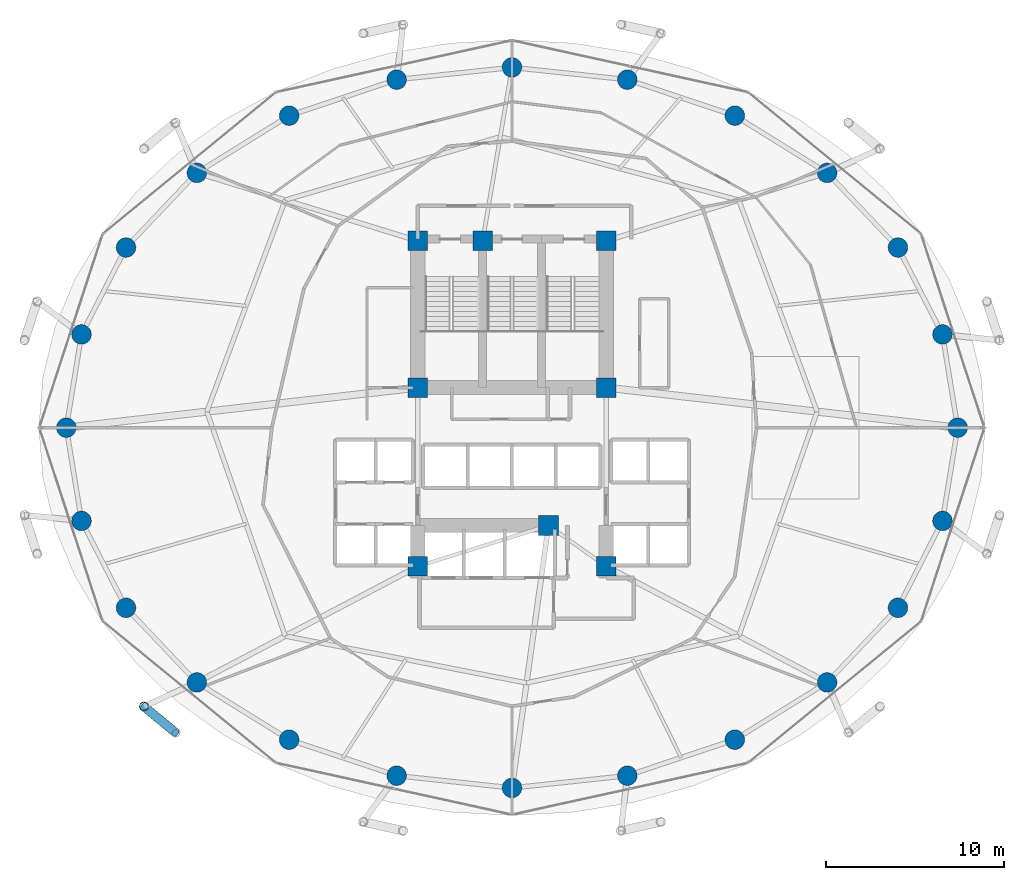
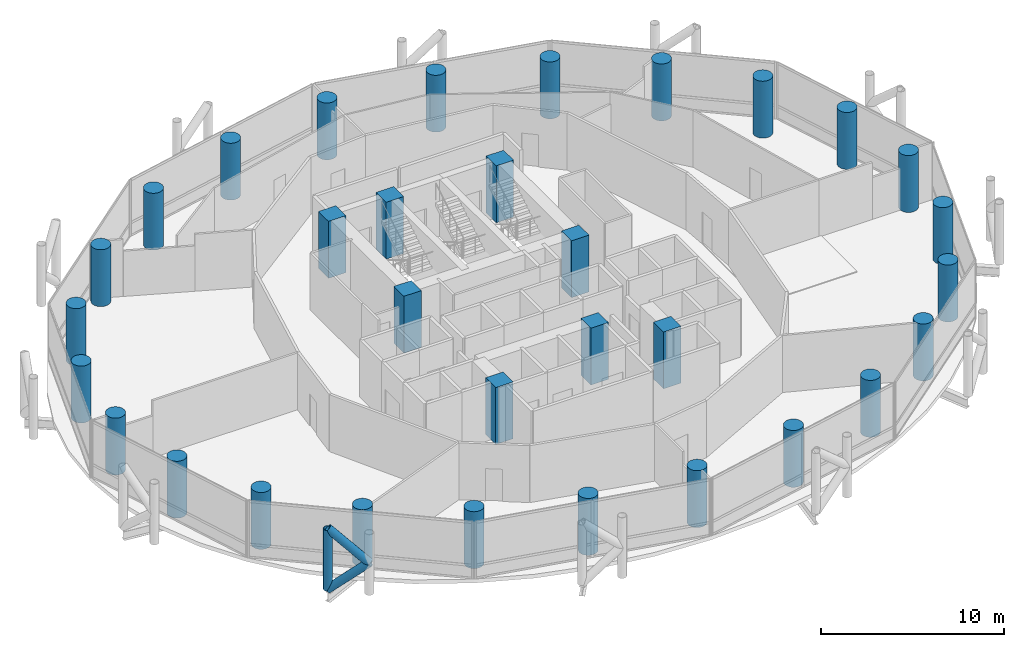
# One storey, part 1 of 26: 32 columns, 3 members.
"""IFC4 building model written with IfcOpenShell, lengths in metres."""

from ifc_helpers import new_model, si_unit, direction, frame, origin, origin_2d, place, context, subcontext, project, spatial, rectangle, circle, hollow_circle, extrude, material, material_profile, profile_set, type_object, element, save


model = new_model("IFC4")

# Units and contexts
model_context = context("Model", 3, precision=1e-05, world=origin(), true_north=direction((0.0, 1.0)))
body_context = subcontext(model_context, "Body", "Model", "MODEL_VIEW")
ifc_project = project(units=[si_unit("LENGTHUNIT", "METRE"), si_unit("AREAUNIT", "SQUARE_METRE"), si_unit("VOLUMEUNIT", "CUBIC_METRE"), si_unit("PLANEANGLEUNIT", "RADIAN"), si_unit("MASSUNIT", "GRAM", prefix="KILO")], contexts=[model_context])

# Site, building, storey
site_placement = place(None, origin())
site = spatial("IfcSite", under=ifc_project, at=site_placement, CompositionType="ELEMENT")
building_placement = place(site_placement, origin())
building = spatial("IfcBuilding", under=site, at=building_placement, Name="Nuhasar Tower", CompositionType="ELEMENT")
storey_placement = place(building_placement, frame((0.0, 0.0, 53.39990234375)))
storey = spatial("IfcBuildingStorey", under=building, at=storey_placement, Name="L12", CompositionType="ELEMENT", Elevation=53.39990234375)

# Columns
ifc_material_1 = material(Name="Concrete C80/95", Category="concrete")
ifc_material_profile_1 = material_profile(ifc_material_1, circle(Radius=0.550048828125, at=origin_2d()), Name="CFT1100")
ifc_profile_set_1 = profile_set([ifc_material_profile_1], Name="Concrete C80/95")
column_type_1 = type_object("IfcColumnType", Name="COL-CFT-1100", PredefinedType="COLUMN", material=ifc_profile_set_1)
for number, where, z_axis, x_axis, name in (
    (1, (64.050048828125, 26.800048828125, 0.0), (0.0, 0.0, 1.0), (1.0, 0.0, 0.0), "L12 Perimeter Composite Column TC-01"),
    (2, (63.196044921875, 32.041015625, 0.0), (0.0, 0.0, 1.0), (1.0, 0.0, 0.0), "L12 Perimeter Composite Column TC-02"),
    (3, (60.694091796875, 36.925048828125, 0.0), (0.0, 0.0, 1.0), (1.0, 0.0, 0.0), "L12 Perimeter Composite Column TC-03"),
    (4, (56.712890625, 41.118896484375, 0.0), (0.0, 0.0, 1.0), (1.0, 0.0, 0.0), "L12 Perimeter Composite Column TC-04"),
    (5, (51.52490234375, 44.3369140625, 0.0), (0.0, 0.0, 1.0), (1.0, 0.0, 0.0), "L12 Perimeter Composite Column TC-05"),
    (6, (45.48291015625, 46.360107421875, 0.0), (0.0, 0.0, 1.0), (1.0, 0.0, 0.0), "L12 Perimeter Composite Column TC-06"),
    (7, (39.0, 47.050048828125, 0.0), (0.0, 0.0, 1.0), (1.0, 0.0, 0.0), "L12 Perimeter Composite Column TC-07"),
    (8, (32.51708984375, 46.360107421875, 0.0), (0.0, 0.0, 1.0), (1.0, 0.0, 0.0), "L12 Perimeter Composite Column TC-08"),
    (9, (26.47509765625, 44.3369140625, 0.0), (0.0, 0.0, 1.0), (1.0, 0.0, 0.0), "L12 Perimeter Composite Column TC-09"),
    (10, (21.287109375, 41.118896484375, 0.0), (0.0, 0.0, 1.0), (1.0, 0.0, 0.0), "L12 Perimeter Composite Column TC-10"),
    (11, (17.305908203125, 36.925048828125, 0.0), (0.0, 0.0, 1.0), (1.0, 0.0, 0.0), "L12 Perimeter Composite Column TC-11"),
    (12, (14.803955078125, 32.041015625, 0.0), (0.0, 0.0, 1.0), (1.0, 0.0, 0.0), "L12 Perimeter Composite Column TC-12"),
    (13, (13.949951171875, 26.800048828125, 0.0), (0.0, 0.0, 1.0), (1.0, 0.0, 0.0), "L12 Perimeter Composite Column TC-13"),
    (14, (14.803955078125, 21.55908203125, 0.0), (0.0, 0.0, 1.0), (1.0, 0.0, 0.0), "L12 Perimeter Composite Column TC-14"),
    (15, (17.305908203125, 16.675048828125, 0.0), (0.0, 0.0, 1.0), (1.0, 0.0, 0.0), "L12 Perimeter Composite Column TC-15"),
    (16, (21.287109375, 12.48095703125, 0.0), (0.0, 0.0, 1.0), (1.0, 0.0, 0.0), "L12 Perimeter Composite Column TC-16"),
    (17, (26.47509765625, 9.262939453125, 0.0), (0.0, 0.0, 1.0), (1.0, 0.0, 0.0), "L12 Perimeter Composite Column TC-17"),
    (18, (32.51708984375, 7.239990234375, 0.0), (0.0, 0.0, 1.0), (1.0, 0.0, 0.0), "L12 Perimeter Composite Column TC-18"),
    (19, (39.0, 6.550048828125, 0.0), (0.0, 0.0, 1.0), (1.0, 0.0, 0.0), "L12 Perimeter Composite Column TC-19"),
    (20, (45.48291015625, 7.239990234375, 0.0), (0.0, 0.0, 1.0), (1.0, 0.0, 0.0), "L12 Perimeter Composite Column TC-20"),
    (21, (51.52490234375, 9.262939453125, 0.0), (0.0, 0.0, 1.0), (1.0, 0.0, 0.0), "L12 Perimeter Composite Column TC-21"),
    (22, (56.712890625, 12.48095703125, 0.0), (0.0, 0.0, 1.0), (1.0, 0.0, 0.0), "L12 Perimeter Composite Column TC-22"),
    (23, (60.694091796875, 16.675048828125, 0.0), (0.0, 0.0, 1.0), (1.0, 0.0, 0.0), "L12 Perimeter Composite Column TC-23"),
    (24, (63.196044921875, 21.55908203125, 0.0), (0.0, 0.0, 1.0), (1.0, 0.0, 0.0), "L12 Perimeter Composite Column TC-24"),
):
    element("IfcColumn", number, at=place(storey_placement, frame(where, z_axis=z_axis, x_axis=x_axis)), inside=storey, type_object=column_type_1, Name=name, PredefinedType="COLUMN", context=body_context, shape_type="SweptSolid", body=[
        extrude(circle(Radius=0.550048828125, at=origin_2d()), origin(), (0.0, 0.0, 1.0), 3.800048828125),
    ])
ifc_material_profile_2 = material_profile(ifc_material_1, rectangle(XDim=1.10009765625, YDim=1.10009765625, at=origin_2d()), Name="RC1100X1100")
ifc_profile_set_2 = profile_set([ifc_material_profile_2], Name="Concrete C80/95")
column_type_2 = type_object("IfcColumnType", Name="PIL-RC-1100", PredefinedType="PILASTER", material=ifc_profile_set_2)
for number, where, z_axis, x_axis, name in (
    (25, (33.699951171875, 19.0, 0.0), (0.0, 0.0, 1.0), (1.0, 0.0, 0.0), "L12 Core Boundary Pilaster CC-01"),
    (26, (41.050048828125, 21.300048828125, 0.0), (0.0, 0.0, 1.0), (1.0, 0.0, 0.0), "L12 Core Boundary Pilaster CC-02"),
    (27, (44.300048828125, 19.0, 0.0), (0.0, 0.0, 1.0), (1.0, 0.0, 0.0), "L12 Core Boundary Pilaster CC-03"),
    (28, (44.300048828125, 29.050048828125, 0.0), (0.0, 0.0, 1.0), (1.0, 0.0, 0.0), "L12 Core Boundary Pilaster CC-04"),
    (29, (44.300048828125, 37.300048828125, 0.0), (0.0, 0.0, 1.0), (1.0, 0.0, 0.0), "L12 Core Boundary Pilaster CC-05"),
    (30, (37.35009765625, 37.300048828125, 0.0), (0.0, 0.0, 1.0), (1.0, 0.0, 0.0), "L12 Core Boundary Pilaster CC-06"),
    (31, (33.699951171875, 37.300048828125, 0.0), (0.0, 0.0, 1.0), (1.0, 0.0, 0.0), "L12 Core Boundary Pilaster CC-07"),
    (32, (33.699951171875, 29.050048828125, 0.0), (0.0, 0.0, 1.0), (1.0, 0.0, 0.0), "L12 Core Boundary Pilaster CC-08"),
):
    element("IfcColumn", number, at=place(storey_placement, frame(where, z_axis=z_axis, x_axis=x_axis)), inside=storey, type_object=column_type_2, Name=name, PredefinedType="PILASTER", context=body_context, shape_type="SweptSolid", body=[
        extrude(rectangle(XDim=1.10009765625, YDim=1.10009765625, at=origin_2d()), origin(), (0.0, 0.0, 1.0), 3.800048828125),
    ])

# Members
ifc_material_2 = material(Name="Steel S460", Category="steel")
ifc_material_profile_3 = material_profile(ifc_material_2, hollow_circle(Radius=0.25390625, WallThickness=0.025390625, at=origin_2d()), Name="HSS508X25.4")
ifc_profile_set_3 = profile_set([ifc_material_profile_3], Name="Steel S460")
member_type = type_object("IfcMemberType", Name="EXO-BRONZE-508", PredefinedType="BRACE", material=ifc_profile_set_3)
member_1_placement = place(storey_placement, frame((18.31494140625, 11.12890625, 0.0), z_axis=(0.0, 0.0, 1.0), x_axis=(1.0, 0.0, 0.0)))
element("IfcMember", 33, at=member_1_placement, inside=storey, type_object=member_type, Name="L12 Exoskeleton Chord Column EC-08A", PredefinedType="BRACE", context=body_context, shape_type="SweptSolid", body=[
    extrude(hollow_circle(Radius=0.25390625, WallThickness=0.025390625, at=origin_2d()), origin(), (0.0, 0.0, 1.0), 4.050048828125),
])
member_2_placement = place(storey_placement, frame((18.31494140625, 11.12890625, 0.0), z_axis=(0.578071194894, -0.478911834514, 0.660664172175), x_axis=(0.637969333506, 0.770061769929, 0.0)))
element("IfcMember", 34, at=member_2_placement, inside=storey, type_object=member_type, Name="L12 Bronze Diagrid Brace W1-08", PredefinedType="BRACE", context=body_context, shape_type="SweptSolid", body=[
    extrude(hollow_circle(Radius=0.25390625, WallThickness=0.025390625, at=origin_2d()), origin(), (0.0, 0.0, 1.0), 3.0654296875),
])
member_3_placement = place(storey_placement, frame((20.0869140625, 9.660888671875, 2.025146484375), z_axis=(-0.578101613167, 0.478937034992, 0.660619286251), x_axis=(-0.637969333506, -0.770061769929, 0.0)))
element("IfcMember", 35, at=member_3_placement, inside=storey, type_object=member_type, Name="L12 Bronze Diagrid Brace W2-08", PredefinedType="BRACE", context=body_context, shape_type="SweptSolid", body=[
    extrude(hollow_circle(Radius=0.25390625, WallThickness=0.025390625, at=origin_2d()), origin(), (0.0, 0.0, 1.0), 3.065185546875),
])

save(model, "model.ifc")
